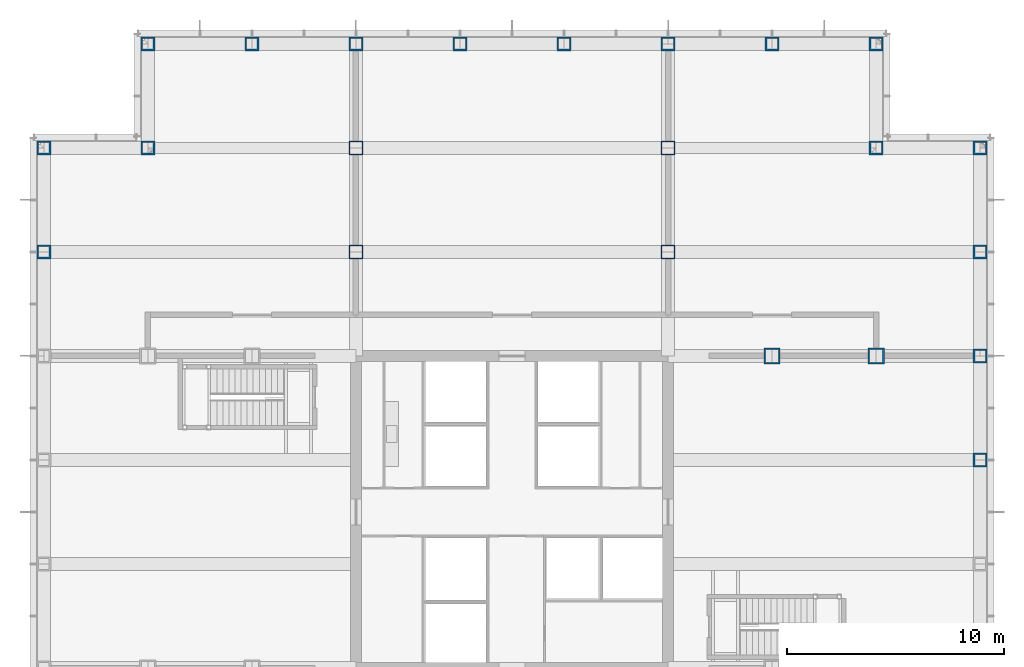
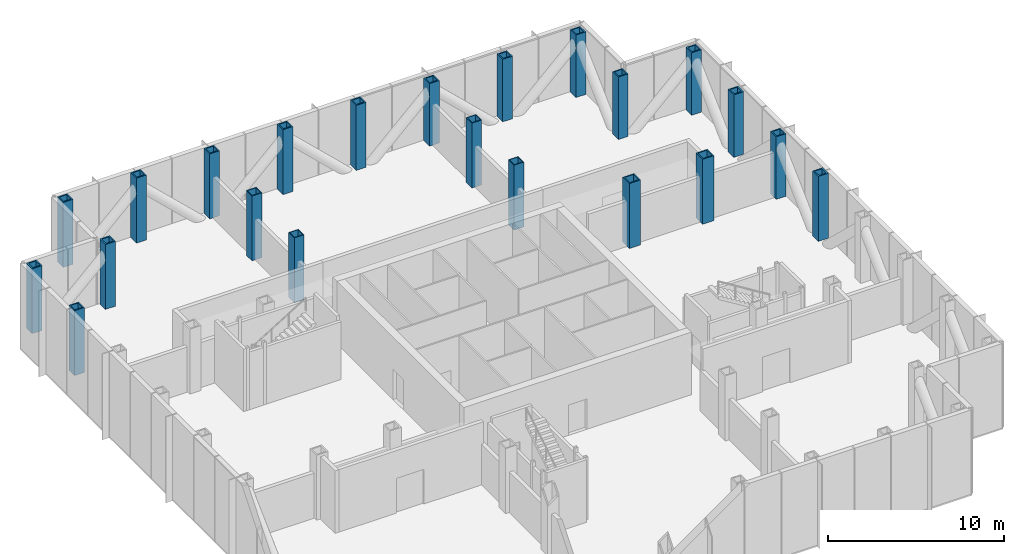
# One storey, part 5 of 18: 22 columns.
"""IFC4 building model written with IfcOpenShell, lengths in metres."""

from ifc_helpers import new_model, si_unit, direction, frame, origin, origin_2d, place, context, subcontext, project, spatial, hollow_rectangle, extrude, material, material_profile, profile_set, type_object, element, save


model = new_model("IFC4")

# Units and contexts
model_context = context("Model", 3, precision=1e-05, world=origin(), true_north=direction((0.0, 1.0)))
body_context = subcontext(model_context, "Body", "Model", "MODEL_VIEW")
ifc_project = project(units=[si_unit("LENGTHUNIT", "METRE"), si_unit("AREAUNIT", "SQUARE_METRE"), si_unit("VOLUMEUNIT", "CUBIC_METRE"), si_unit("PLANEANGLEUNIT", "RADIAN"), si_unit("MASSUNIT", "GRAM", prefix="KILO")], contexts=[model_context])

# Site, building, storey
site_placement = place(None, origin())
site = spatial("IfcSite", under=ifc_project, at=site_placement, CompositionType="ELEMENT")
building_placement = place(site_placement, origin())
building = spatial("IfcBuilding", under=site, at=building_placement, Name="Kvirike Care Tower", CompositionType="ELEMENT")
storey_placement = place(building_placement, frame((0.0, 0.0, 79.5)))
storey = spatial("IfcBuildingStorey", under=building, at=storey_placement, Name="L21", CompositionType="ELEMENT", Elevation=79.5)

# Columns
ifc_material_1 = material(Name="Steel S460", Category="steel")
ifc_material_profile_1 = material_profile(ifc_material_1, hollow_rectangle(XDim=0.64990234375, YDim=0.64990234375, WallThickness=0.050048828125, at=origin_2d()), Name="BX 650x650x50")
ifc_profile_set_1 = profile_set([ifc_material_profile_1], Name="Steel S460")
column_type_1 = type_object("IfcColumnType", Name="COLUMN BX 650x650x50", PredefinedType="COLUMN", material=ifc_profile_set_1)
for number, where, z_axis, x_axis, name in (
    (1, (14.39990234375, 48.0, 0.0), (0.0, 0.0, 1.0), (1.0, 0.0, 0.0), "Column L6 L21"),
    (2, (14.39990234375, 52.800048828125, 0.0), (0.0, 0.0, 1.0), (1.0, 0.0, 0.0), "Column M6 L21"),
    (3, (28.800048828125, 48.0, 0.0), (0.0, 0.0, 1.0), (1.0, 0.0, 0.0), "Column L9 L21"),
    (4, (28.800048828125, 52.800048828125, 0.0), (0.0, 0.0, 1.0), (1.0, 0.0, 0.0), "Column M9 L21"),
):
    element("IfcColumn", number, at=place(storey_placement, frame(where, z_axis=z_axis, x_axis=x_axis)), inside=storey, type_object=column_type_1, Name=name, PredefinedType="COLUMN", context=body_context, shape_type="SweptSolid", body=[
        extrude(hollow_rectangle(XDim=0.64990234375, YDim=0.64990234375, WallThickness=0.050048828125, at=origin_2d()), origin(), (0.0, 0.0, 1.0), 4.5),
    ])
ifc_material_2 = material(Name="Steel S460", Category="steel")
ifc_material_profile_2 = material_profile(ifc_material_2, hollow_rectangle(XDim=0.64990234375, YDim=0.64990234375, WallThickness=0.080078125, at=origin_2d()), Name="BX 650x650x80")
ifc_profile_set_2 = profile_set([ifc_material_profile_2], Name="Steel S460")
column_type_2 = type_object("IfcColumnType", Name="COLUMN BX 650x650x80", PredefinedType="COLUMN", material=ifc_profile_set_2)
for number, where, z_axis, x_axis, name in (
    (5, (0.0, 48.0, 0.0), (0.0, 0.0, 1.0), (1.0, 0.0, 0.0), "Column L3 L21"),
    (6, (0.0, 52.800048828125, 0.0), (0.0, 0.0, 1.0), (0.0, 1.0, 0.0), "Column M3 L21"),
    (7, (4.800048828125, 52.800048828125, 0.0), (0.0, 0.0, 1.0), (0.0, 1.0, 0.0), "Column M4 L21"),
    (8, (4.800048828125, 57.60009765625, 0.0), (0.0, 0.0, 1.0), (0.0, 1.0, 0.0), "Column N4 L21"),
    (9, (9.60009765625, 57.60009765625, 0.0), (0.0, 0.0, 1.0), (0.0, 1.0, 0.0), "Column N5 L21"),
    (10, (14.39990234375, 57.60009765625, 0.0), (0.0, 0.0, 1.0), (0.0, 1.0, 0.0), "Column N6 L21"),
    (11, (19.199951171875, 57.60009765625, 0.0), (0.0, 0.0, 1.0), (0.0, 1.0, 0.0), "Column N7 L21"),
    (12, (24.0, 57.60009765625, 0.0), (0.0, 0.0, 1.0), (0.0, 1.0, 0.0), "Column N8 L21"),
):
    element("IfcColumn", number, at=place(storey_placement, frame(where, z_axis=z_axis, x_axis=x_axis)), inside=storey, type_object=column_type_2, Name=name, PredefinedType="COLUMN", context=body_context, shape_type="SweptSolid", body=[
        extrude(hollow_rectangle(XDim=0.64990234375, YDim=0.64990234375, WallThickness=0.080078125, at=origin_2d()), origin(), (0.0, 0.0, 1.0), 4.5),
    ])
for number, where, z_axis, x_axis, name in (
    (13, (28.800048828125, 57.60009765625, 0.0), (0.0, 0.0, 1.0), (0.0, 1.0, 0.0), "Column N9 L21"),
    (14, (33.60009765625, 57.60009765625, 0.0), (0.0, 0.0, 1.0), (0.0, 1.0, 0.0), "Column N10 L21"),
    (15, (38.39990234375, 52.800048828125, 0.0), (0.0, 0.0, 1.0), (0.0, 1.0, 0.0), "Column M11 L21"),
    (16, (38.39990234375, 57.60009765625, 0.0), (0.0, 0.0, 1.0), (0.0, 1.0, 0.0), "Column N11 L21"),
):
    element("IfcColumn", number, at=place(storey_placement, frame(where, z_axis=z_axis, x_axis=x_axis)), inside=storey, type_object=column_type_2, Name=name, PredefinedType="COLUMN", context=body_context, shape_type="SweptSolid", body=[
        extrude(hollow_rectangle(XDim=0.64990234375, YDim=0.64990234375, WallThickness=0.080078125, at=origin_2d()), origin(), (0.0, 0.0, 1.0), 4.330078125),
    ])
column_placement = place(storey_placement, frame((43.199951171875, 38.39990234375, 0.0), z_axis=(0.0, 0.0, 1.0), x_axis=(1.0, 0.0, 0.0)))
element("IfcColumn", 17, at=column_placement, inside=storey, type_object=column_type_2, Name="Column J12 L21", PredefinedType="COLUMN", context=body_context, shape_type="SweptSolid", body=[
    extrude(hollow_rectangle(XDim=0.64990234375, YDim=0.64990234375, WallThickness=0.080078125, at=origin_2d()), origin(), (0.0, 0.0, 1.0), 4.5),
])
for number, where, z_axis, x_axis, name in (
    (18, (43.199951171875, 43.199951171875, 0.0), (0.0, 0.0, 1.0), (0.0, 1.0, 0.0), "Column K12 L21"),
    (19, (43.199951171875, 48.0, 0.0), (0.0, 0.0, 1.0), (1.0, 0.0, 0.0), "Column L12 L21"),
    (20, (43.199951171875, 52.800048828125, 0.0), (0.0, 0.0, 1.0), (0.0, 1.0, 0.0), "Column M12 L21"),
):
    element("IfcColumn", number, at=place(storey_placement, frame(where, z_axis=z_axis, x_axis=x_axis)), inside=storey, type_object=column_type_2, Name=name, PredefinedType="COLUMN", context=body_context, shape_type="SweptSolid", body=[
        extrude(hollow_rectangle(XDim=0.64990234375, YDim=0.64990234375, WallThickness=0.080078125, at=origin_2d()), origin(), (0.0, 0.0, 1.0), 4.330078125),
    ])
ifc_material_3 = material(Name="Steel S460", Category="steel")
ifc_material_profile_3 = material_profile(ifc_material_3, hollow_rectangle(XDim=0.75, YDim=0.75, WallThickness=0.080078125, at=origin_2d()), Name="BX 750x750x80")
ifc_profile_set_3 = profile_set([ifc_material_profile_3], Name="Steel S460")
column_type_3 = type_object("IfcColumnType", Name="COLUMN BX 750x750x80", PredefinedType="COLUMN", material=ifc_profile_set_3)
for number, where, z_axis, x_axis, name in (
    (21, (33.60009765625, 43.199951171875, 0.0), (0.0, 0.0, 1.0), (0.0, 1.0, 0.0), "Column K10 L21"),
    (22, (38.39990234375, 43.199951171875, 0.0), (0.0, 0.0, 1.0), (0.0, 1.0, 0.0), "Column K11 L21"),
):
    element("IfcColumn", number, at=place(storey_placement, frame(where, z_axis=z_axis, x_axis=x_axis)), inside=storey, type_object=column_type_3, Name=name, PredefinedType="COLUMN", context=body_context, shape_type="SweptSolid", body=[
        extrude(hollow_rectangle(XDim=0.75, YDim=0.75, WallThickness=0.080078125, at=origin_2d()), origin(), (0.0, 0.0, 1.0), 4.5),
    ])

save(model, "model.ifc")
